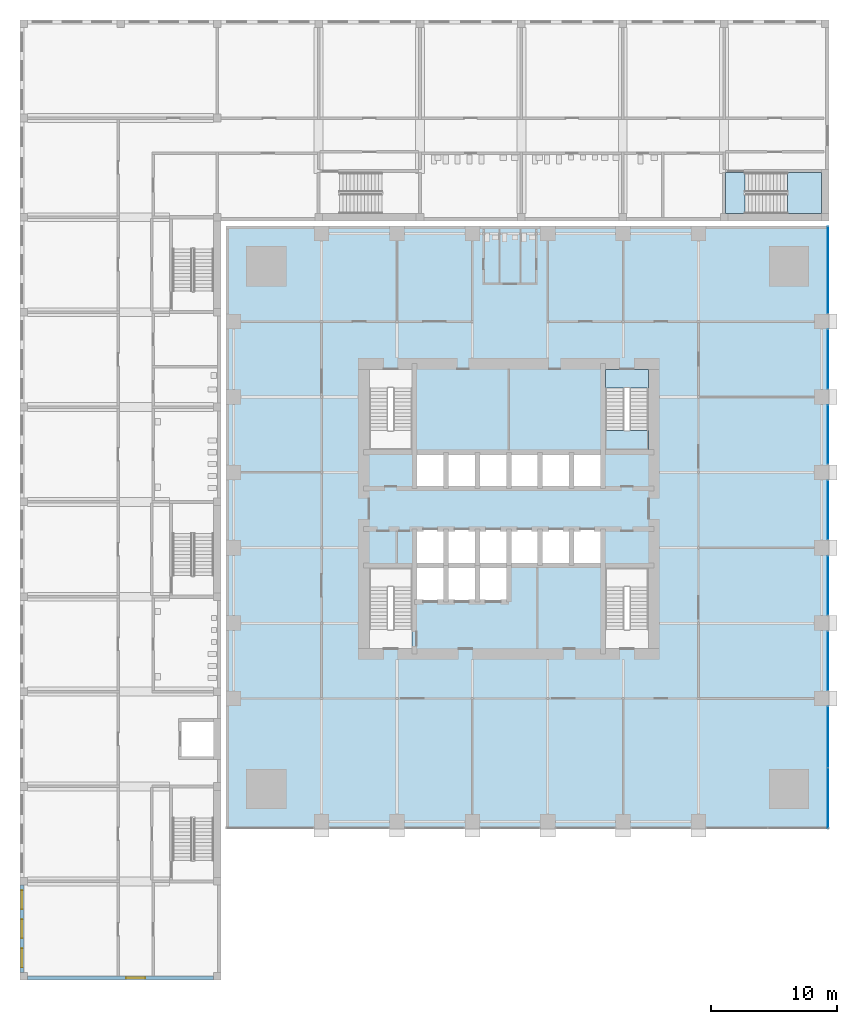
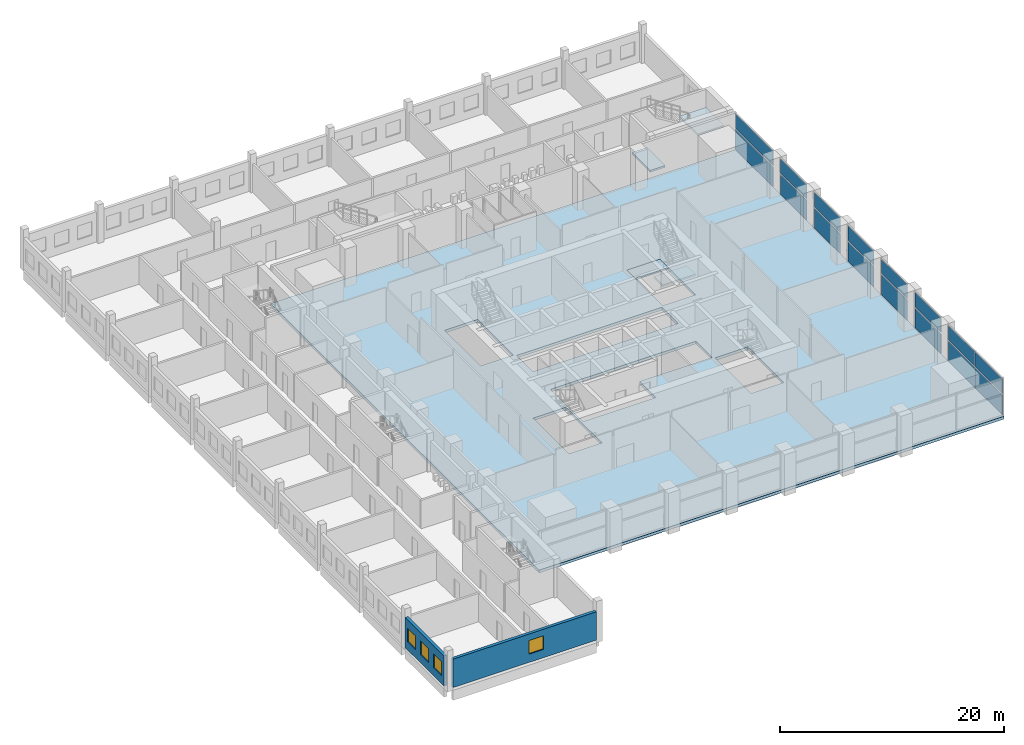
# One storey, part 9 of 25: 16 plates, 5 slabs, 4 windows, 2 walls, 4 openings, 9 elements without a shape of their own.
"""IFC4 building model written with IfcOpenShell, lengths in metres."""

from ifc_helpers import new_model, si_unit, direction, frame, frame_2d, origin, origin_2d, place, context, subcontext, project, spatial, polyline, rectangle, outline, extrude, material, layer, layer_set, type_object, element, fill, aggregate, save


model = new_model("IFC4")

# Units and contexts
model_context = context("Model", 3, precision=1e-05, world=origin(), true_north=direction((0.0, 1.0)))
body_context = subcontext(model_context, "Body", "Model", "MODEL_VIEW")
ifc_project = project(units=[si_unit("LENGTHUNIT", "METRE"), si_unit("AREAUNIT", "SQUARE_METRE"), si_unit("VOLUMEUNIT", "CUBIC_METRE"), si_unit("PLANEANGLEUNIT", "RADIAN"), si_unit("MASSUNIT", "GRAM", prefix="KILO")], contexts=[model_context])

# Site, building, storey
site_placement = place(None, origin())
site = spatial("IfcSite", under=ifc_project, at=site_placement, CompositionType="ELEMENT")
building_placement = place(site_placement, origin())
building = spatial("IfcBuilding", under=site, at=building_placement, Name="Amberfall Residences", CompositionType="ELEMENT")
storey_placement = place(building_placement, frame((0.0, 0.0, 10.0)))
storey = spatial("IfcBuildingStorey", under=building, at=storey_placement, Name="L02", CompositionType="ELEMENT", Elevation=10.0)

# Curtain wall, plates
ifc_material_1 = material(Name="Bronze anodised aluminium and glass", Category="aluminium")
curtain_wall_type = type_object("IfcCurtainWallType", Name="Curtain wall CW4 podium storefront", PredefinedType="USERDEFINED", material=ifc_material_1)
curtain_wall_1_placement = place(storey_placement, origin())
curtain_wall_1 = element("IfcCurtainWall", 1, at=curtain_wall_1_placement, inside=storey, type_object=curtain_wall_type, Name="Storefront L02 E1", ObjectType="UNITISED CURTAIN WALL", PredefinedType="USERDEFINED")
ifc_material_2 = material(Name="Clear toughened glazing", Category="glass")
ifc_layer_1 = layer(ifc_material_2, 0.028076171875)
ifc_layer_set_1 = layer_set([ifc_layer_1], Name="CW4 panel 28 glazing")
plate_type = type_object("IfcPlateType", Name="CW4 panel 28 glazing", PredefinedType="CURTAIN_PANEL", material=ifc_layer_set_1)
plate_1_placement = place(storey_placement, frame((99.89990234375, 22.467529296875, 0.14990234375), z_axis=(0.0, 0.0, 1.0), x_axis=(0.0, 1.0, 0.0)))
plate_1 = element("IfcPlate", 2, at=plate_1_placement, type_object=plate_type, Name="CW4 panel 1.1", PredefinedType="CURTAIN_PANEL", context=body_context, shape_type="SweptSolid", body=[
    extrude(rectangle(XDim=4.794921875, YDim=0.028076171875, at=origin_2d()), origin(), (0.0, 0.0, 1.0), 2.175048828125),
])
plate_2_placement = place(storey_placement, frame((99.89990234375, 22.467529296875, 2.47509765625), z_axis=(0.0, 0.0, 1.0), x_axis=(0.0, 1.0, 0.0)))
plate_2 = element("IfcPlate", 3, at=plate_2_placement, type_object=plate_type, Name="CW4 panel 1.2", PredefinedType="CURTAIN_PANEL", context=body_context, shape_type="SweptSolid", body=[
    extrude(rectangle(XDim=4.794921875, YDim=0.028076171875, at=origin_2d()), origin(), (0.0, 0.0, 1.0), 1.574951171875),
])
plate_3_placement = place(storey_placement, frame((99.89990234375, 27.33251953125, 0.14990234375), z_axis=(0.0, 0.0, 1.0), x_axis=(0.0, 1.0, 0.0)))
plate_3 = element("IfcPlate", 4, at=plate_3_placement, type_object=plate_type, Name="CW4 panel 2.1", PredefinedType="CURTAIN_PANEL", context=body_context, shape_type="SweptSolid", body=[
    extrude(rectangle(XDim=4.794921875, YDim=0.028076171875, at=origin_2d()), origin(), (0.0, 0.0, 1.0), 2.175048828125),
])
plate_4_placement = place(storey_placement, frame((99.89990234375, 27.33251953125, 2.47509765625), z_axis=(0.0, 0.0, 1.0), x_axis=(0.0, 1.0, 0.0)))
plate_4 = element("IfcPlate", 5, at=plate_4_placement, type_object=plate_type, Name="CW4 panel 2.2", PredefinedType="CURTAIN_PANEL", context=body_context, shape_type="SweptSolid", body=[
    extrude(rectangle(XDim=4.794921875, YDim=0.028076171875, at=origin_2d()), origin(), (0.0, 0.0, 1.0), 1.574951171875),
])
aggregate(curtain_wall_1, [plate_1, plate_2, plate_3, plate_4])

curtain_wall_2_placement = place(storey_placement, origin())
curtain_wall_2 = element("IfcCurtainWall", 6, at=curtain_wall_2_placement, inside=storey, type_object=curtain_wall_type, Name="Storefront L02 E2", ObjectType="UNITISED CURTAIN WALL", PredefinedType="USERDEFINED")
plate_5_placement = place(storey_placement, frame((99.89990234375, 33.39990234375, 0.14990234375), z_axis=(0.0, 0.0, 1.0), x_axis=(0.0, 1.0, 0.0)))
plate_5 = element("IfcPlate", 7, at=plate_5_placement, type_object=plate_type, Name="CW4 panel 1.1", PredefinedType="CURTAIN_PANEL", context=body_context, shape_type="SweptSolid", body=[
    extrude(rectangle(XDim=4.659912109375, YDim=0.028076171875, at=origin_2d()), origin(), (0.0, 0.0, 1.0), 2.175048828125),
])
plate_6_placement = place(storey_placement, frame((99.89990234375, 33.39990234375, 2.47509765625), z_axis=(0.0, 0.0, 1.0), x_axis=(0.0, 1.0, 0.0)))
plate_6 = element("IfcPlate", 8, at=plate_6_placement, type_object=plate_type, Name="CW4 panel 1.2", PredefinedType="CURTAIN_PANEL", context=body_context, shape_type="SweptSolid", body=[
    extrude(rectangle(XDim=4.659912109375, YDim=0.028076171875, at=origin_2d()), origin(), (0.0, 0.0, 1.0), 1.574951171875),
])
aggregate(curtain_wall_2, [plate_5, plate_6])

curtain_wall_3_placement = place(storey_placement, origin())
curtain_wall_3 = element("IfcCurtainWall", 9, at=curtain_wall_3_placement, inside=storey, type_object=curtain_wall_type, Name="Storefront L02 E3", ObjectType="UNITISED CURTAIN WALL", PredefinedType="USERDEFINED")
plate_7_placement = place(storey_placement, frame((99.89990234375, 39.39990234375, 0.14990234375), z_axis=(0.0, 0.0, 1.0), x_axis=(0.0, 1.0, 0.0)))
plate_7 = element("IfcPlate", 10, at=plate_7_placement, type_object=plate_type, Name="CW4 panel 1.1", PredefinedType="CURTAIN_PANEL", context=body_context, shape_type="SweptSolid", body=[
    extrude(rectangle(XDim=4.659912109375, YDim=0.028076171875, at=origin_2d()), origin(), (0.0, 0.0, 1.0), 2.175048828125),
])
plate_8_placement = place(storey_placement, frame((99.89990234375, 39.39990234375, 2.47509765625), z_axis=(0.0, 0.0, 1.0), x_axis=(0.0, 1.0, 0.0)))
plate_8 = element("IfcPlate", 11, at=plate_8_placement, type_object=plate_type, Name="CW4 panel 1.2", PredefinedType="CURTAIN_PANEL", context=body_context, shape_type="SweptSolid", body=[
    extrude(rectangle(XDim=4.659912109375, YDim=0.028076171875, at=origin_2d()), origin(), (0.0, 0.0, 1.0), 1.574951171875),
])
aggregate(curtain_wall_3, [plate_7, plate_8])

curtain_wall_4_placement = place(storey_placement, origin())
curtain_wall_4 = element("IfcCurtainWall", 12, at=curtain_wall_4_placement, inside=storey, type_object=curtain_wall_type, Name="Storefront L02 E4", ObjectType="UNITISED CURTAIN WALL", PredefinedType="USERDEFINED")
plate_9_placement = place(storey_placement, frame((99.89990234375, 45.39990234375, 0.14990234375), z_axis=(0.0, 0.0, 1.0), x_axis=(0.0, 1.0, 0.0)))
plate_9 = element("IfcPlate", 13, at=plate_9_placement, type_object=plate_type, Name="CW4 panel 1.1", PredefinedType="CURTAIN_PANEL", context=body_context, shape_type="SweptSolid", body=[
    extrude(rectangle(XDim=4.659912109375, YDim=0.028076171875, at=origin_2d()), origin(), (0.0, 0.0, 1.0), 2.175048828125),
])
plate_10_placement = place(storey_placement, frame((99.89990234375, 45.39990234375, 2.47509765625), z_axis=(0.0, 0.0, 1.0), x_axis=(0.0, 1.0, 0.0)))
plate_10 = element("IfcPlate", 14, at=plate_10_placement, type_object=plate_type, Name="CW4 panel 1.2", PredefinedType="CURTAIN_PANEL", context=body_context, shape_type="SweptSolid", body=[
    extrude(rectangle(XDim=4.659912109375, YDim=0.028076171875, at=origin_2d()), origin(), (0.0, 0.0, 1.0), 1.574951171875),
])
aggregate(curtain_wall_4, [plate_9, plate_10])

curtain_wall_5_placement = place(storey_placement, origin())
curtain_wall_5 = element("IfcCurtainWall", 15, at=curtain_wall_5_placement, inside=storey, type_object=curtain_wall_type, Name="Storefront L02 E5", ObjectType="UNITISED CURTAIN WALL", PredefinedType="USERDEFINED")
plate_11_placement = place(storey_placement, frame((99.89990234375, 51.39990234375, 0.14990234375), z_axis=(0.0, 0.0, 1.0), x_axis=(0.0, 1.0, 0.0)))
plate_11 = element("IfcPlate", 16, at=plate_11_placement, type_object=plate_type, Name="CW4 panel 1.1", PredefinedType="CURTAIN_PANEL", context=body_context, shape_type="SweptSolid", body=[
    extrude(rectangle(XDim=4.659912109375, YDim=0.028076171875, at=origin_2d()), origin(), (0.0, 0.0, 1.0), 2.175048828125),
])
plate_12_placement = place(storey_placement, frame((99.89990234375, 51.39990234375, 2.47509765625), z_axis=(0.0, 0.0, 1.0), x_axis=(0.0, 1.0, 0.0)))
plate_12 = element("IfcPlate", 17, at=plate_12_placement, type_object=plate_type, Name="CW4 panel 1.2", PredefinedType="CURTAIN_PANEL", context=body_context, shape_type="SweptSolid", body=[
    extrude(rectangle(XDim=4.659912109375, YDim=0.028076171875, at=origin_2d()), origin(), (0.0, 0.0, 1.0), 1.574951171875),
])
aggregate(curtain_wall_5, [plate_11, plate_12])

curtain_wall_6_placement = place(storey_placement, origin())
curtain_wall_6 = element("IfcCurtainWall", 18, at=curtain_wall_6_placement, inside=storey, type_object=curtain_wall_type, Name="Storefront L02 E6", ObjectType="UNITISED CURTAIN WALL", PredefinedType="USERDEFINED")
plate_13_placement = place(storey_placement, frame((99.89990234375, 57.39990234375, 0.14990234375), z_axis=(0.0, 0.0, 1.0), x_axis=(0.0, 1.0, 0.0)))
plate_13 = element("IfcPlate", 19, at=plate_13_placement, type_object=plate_type, Name="CW4 panel 1.1", PredefinedType="CURTAIN_PANEL", context=body_context, shape_type="SweptSolid", body=[
    extrude(rectangle(XDim=4.659912109375, YDim=0.028076171875, at=origin_2d()), origin(), (0.0, 0.0, 1.0), 2.175048828125),
])
plate_14_placement = place(storey_placement, frame((99.89990234375, 57.39990234375, 2.47509765625), z_axis=(0.0, 0.0, 1.0), x_axis=(0.0, 1.0, 0.0)))
plate_14 = element("IfcPlate", 20, at=plate_14_placement, type_object=plate_type, Name="CW4 panel 1.2", PredefinedType="CURTAIN_PANEL", context=body_context, shape_type="SweptSolid", body=[
    extrude(rectangle(XDim=4.659912109375, YDim=0.028076171875, at=origin_2d()), origin(), (0.0, 0.0, 1.0), 1.574951171875),
])
aggregate(curtain_wall_6, [plate_13, plate_14])

curtain_wall_7_placement = place(storey_placement, origin())
curtain_wall_7 = element("IfcCurtainWall", 21, at=curtain_wall_7_placement, inside=storey, type_object=curtain_wall_type, Name="Storefront L02 E7", ObjectType="UNITISED CURTAIN WALL", PredefinedType="USERDEFINED")
plate_15_placement = place(storey_placement, frame((99.89990234375, 64.5, 0.14990234375), z_axis=(0.0, 0.0, 1.0), x_axis=(0.0, 1.0, 0.0)))
plate_15 = element("IfcPlate", 22, at=plate_15_placement, type_object=plate_type, Name="CW4 panel 1.1", PredefinedType="CURTAIN_PANEL", context=body_context, shape_type="SweptSolid", body=[
    extrude(rectangle(XDim=6.860107421875, YDim=0.028076171875, at=origin_2d()), origin(), (0.0, 0.0, 1.0), 2.175048828125),
])
plate_16_placement = place(storey_placement, frame((99.89990234375, 64.5, 2.47509765625), z_axis=(0.0, 0.0, 1.0), x_axis=(0.0, 1.0, 0.0)))
plate_16 = element("IfcPlate", 23, at=plate_16_placement, type_object=plate_type, Name="CW4 panel 1.2", PredefinedType="CURTAIN_PANEL", context=body_context, shape_type="SweptSolid", body=[
    extrude(rectangle(XDim=6.860107421875, YDim=0.028076171875, at=origin_2d()), origin(), (0.0, 0.0, 1.0), 1.574951171875),
])
aggregate(curtain_wall_7, [plate_15, plate_16])

# Slab
ifc_material_3 = material(Name="Concrete C60", Category="concrete")
ifc_layer_2 = layer(ifc_material_3, 0.300048828125)
ifc_layer_set_2 = layer_set([ifc_layer_2], Name="Podium floor slab 300 C60")
slab_type_1 = type_object("IfcSlabType", Name="Podium floor slab 300 C60", PredefinedType="FLOOR", material=ifc_layer_set_2)
slab_1_placement = place(storey_placement, frame((0.0, 0.0, -0.300048828125)))
element("IfcSlab", 24, at=slab_1_placement, inside=storey, type_object=slab_type_1, Name="Floor slab S2 L02", PredefinedType="FLOOR", context=body_context, shape_type="SweptSolid", body=[
    extrude(outline(polyline([(52.0, 68.0), (100.0, 68.0), (100.0, 20.0), (52.0, 20.0), (52.0, 68.0)]), holes=[polyline([(85.60009765625, 34.39990234375), (85.60009765625, 40.800048828125), (82.199951171875, 40.800048828125), (82.199951171875, 34.39990234375), (85.60009765625, 34.39990234375)]), polyline([(82.199951171875, 50.199951171875), (85.60009765625, 50.199951171875), (85.60009765625, 56.60009765625), (82.199951171875, 56.60009765625), (82.199951171875, 50.199951171875)]), polyline([(69.5, 50.0), (67.0, 50.0), (67.0, 47.10009765625), (69.5, 47.10009765625), (72.0, 47.10009765625), (74.5, 47.10009765625), (77.0, 47.10009765625), (79.5, 47.10009765625), (82.0, 47.10009765625), (82.0, 50.0), (79.5, 50.0), (77.0, 50.0), (74.5, 50.0), (72.0, 50.0), (69.5, 50.0)]), polyline([(74.5, 41.0), (77.0, 41.0), (79.5, 41.0), (82.0, 41.0), (82.0, 43.89990234375), (79.5, 43.89990234375), (77.0, 43.89990234375), (74.5, 43.89990234375), (72.0, 43.89990234375), (69.5, 43.89990234375), (67.0, 43.89990234375), (67.0, 41.0), (67.0, 38.10009765625), (69.5, 38.10009765625), (72.0, 38.10009765625), (74.5, 38.10009765625), (74.5, 41.0)]), polyline([(66.800048828125, 34.39990234375), (66.800048828125, 40.800048828125), (63.39990234375, 40.800048828125), (63.39990234375, 34.39990234375), (66.800048828125, 34.39990234375)]), polyline([(66.800048828125, 50.199951171875), (66.800048828125, 56.60009765625), (63.39990234375, 56.60009765625), (63.39990234375, 50.199951171875), (66.800048828125, 50.199951171875)])]), origin(), (0.0, 0.0, 1.0), 0.300048828125),
])

# Stair, slabs
ifc_material_4 = material(Name="Concrete C40", Category="concrete")
stair_type_1 = type_object("IfcStairType", Name="School stair", PredefinedType="HALF_TURN_STAIR", material=ifc_material_4)
stair_1_placement = place(storey_placement, origin())
stair_1 = element("IfcStair", 25, at=stair_1_placement, inside=storey, type_object=stair_type_1, Name="L02 Stair SS5", PredefinedType="HALF_TURN_STAIR")
ifc_layer_3 = layer(ifc_material_4, 0.199951171875)
ifc_layer_set_3 = layer_set([ifc_layer_3], Name="School stair landing")
slab_type_2 = type_object("IfcSlabType", Name="School stair landing", PredefinedType="LANDING", material=ifc_layer_set_3)
slab_2_placement = place(storey_placement, frame((0.0, 0.0, 2.050048828125)))
slab_2 = element("IfcSlab", 26, at=slab_2_placement, type_object=slab_type_2, Name="SS5 landing 1", PredefinedType="LANDING", context=body_context, shape_type="SweptSolid", body=[
    extrude(outline(polyline([(96.66796875, 69.0), (99.39990234375, 69.0), (99.39990234375, 72.25), (96.66796875, 72.25), (96.66796875, 69.0)])), origin(), (0.0, 0.0, 1.0), 0.199951171875),
])
slab_3_placement = place(storey_placement, frame((0.0, 0.0, -0.199951171875)))
slab_3 = element("IfcSlab", 27, at=slab_3_placement, type_object=slab_type_2, Name="SS5 landing 2", PredefinedType="LANDING", context=body_context, shape_type="SweptSolid", body=[
    extrude(outline(polyline([(91.758056640625, 69.0), (93.30810546875, 69.0), (93.30810546875, 72.25), (91.758056640625, 72.25), (91.758056640625, 69.0)])), origin(), (0.0, 0.0, 1.0), 0.199951171875),
])
aggregate(stair_1, [slab_2, slab_3])

stair_type_2 = type_object("IfcStairType", Name="Exit stair 26 risers 173.1 mm", PredefinedType="HALF_TURN_STAIR", material=ifc_material_4)
stair_2_placement = place(storey_placement, origin())
stair_2 = element("IfcStair", 28, at=stair_2_placement, inside=storey, type_object=stair_type_2, Name="L02 Exit stair 3", PredefinedType="HALF_TURN_STAIR")
ifc_layer_4 = layer(ifc_material_4, 0.199951171875)
ifc_layer_set_4 = layer_set([ifc_layer_4], Name="Stair landing 200")
slab_type_3 = type_object("IfcSlabType", Name="Stair landing 200", PredefinedType="LANDING", material=ifc_layer_set_4)
slab_4_placement = place(storey_placement, frame((0.0, 0.0, 2.050048828125)))
slab_4 = element("IfcSlab", 29, at=slab_4_placement, type_object=slab_type_3, Name="ST2 landing 1", PredefinedType="LANDING", context=body_context, shape_type="SweptSolid", body=[
    extrude(outline(polyline([(82.199951171875, 51.739990234375), (82.199951171875, 50.199951171875), (85.60009765625, 50.199951171875), (85.60009765625, 51.739990234375), (82.199951171875, 51.739990234375)])), origin(), (0.0, 0.0, 1.0), 0.199951171875),
])
slab_5_placement = place(storey_placement, frame((0.0, 0.0, -0.199951171875)))
slab_5 = element("IfcSlab", 30, at=slab_5_placement, type_object=slab_type_3, Name="ST2 landing 2", PredefinedType="LANDING", context=body_context, shape_type="SweptSolid", body=[
    extrude(outline(polyline([(82.199951171875, 56.60009765625), (82.199951171875, 55.10009765625), (85.60009765625, 55.10009765625), (85.60009765625, 56.60009765625), (82.199951171875, 56.60009765625)])), origin(), (0.0, 0.0, 1.0), 0.199951171875),
])
aggregate(stair_2, [slab_4, slab_5])

# Wall, openings, windows
ifc_material_5 = material(Name="Aerated block wall")
ifc_layer_5 = layer(ifc_material_5, 0.300048828125)
ifc_layer_set_5 = layer_set([ifc_layer_5], Name="School external wall 300")
wall_type = type_object("IfcWallType", Name="School external wall 300", PredefinedType="SOLIDWALL", material=ifc_layer_set_5)
wall_1_placement = place(storey_placement, frame((35.75, 8.60009765625, 0.0), z_axis=(0.0, 0.0, 1.0), x_axis=(0.0, 1.0, 0.0)))
wall_1 = element("IfcWall", 31, at=wall_1_placement, inside=storey, type_object=wall_type, Name="School external wall L02 EW0", PredefinedType="SOLIDWALL", context=body_context, shape_type="SweptSolid", body=[
    extrude(rectangle(XDim=6.949951171875, YDim=0.300048828125, at=frame_2d((3.47509765625, 0.0))), origin(), (0.0, 0.0, 1.0), 3.300048828125),
])
opening_1_placement = place(wall_1_placement, frame((0.408203125, 0.0, 0.89990234375)))
opening_1 = element("IfcOpeningElement", 32, at=opening_1_placement, cuts=wall_1, Name="Opening SWN1", PredefinedType="OPENING", context=body_context, shape_type="SweptSolid", body=[
    extrude(rectangle(XDim=1.5, YDim=1.5, at=frame_2d((0.75, 0.75))), frame((0.0, 0.159912109375, 0.0), z_axis=(0.0, -1.0, 0.0), x_axis=(1.0, 0.0, 0.0)), (0.0, 0.0, 1.0), 0.320068359375),
])
opening_2_placement = place(wall_1_placement, frame((2.72509765625, 0.0, 0.89990234375)))
opening_2 = element("IfcOpeningElement", 33, at=opening_2_placement, cuts=wall_1, Name="Opening SWN1", PredefinedType="OPENING", context=body_context, shape_type="SweptSolid", body=[
    extrude(rectangle(XDim=1.5, YDim=1.5, at=frame_2d((0.75, 0.75))), frame((0.0, 0.159912109375, 0.0), z_axis=(0.0, -1.0, 0.0), x_axis=(1.0, 0.0, 0.0)), (0.0, 0.0, 1.0), 0.320068359375),
])
opening_3_placement = place(wall_1_placement, frame((5.041748046875, 0.0, 0.89990234375)))
opening_3 = element("IfcOpeningElement", 34, at=opening_3_placement, cuts=wall_1, Name="Opening SWN1", PredefinedType="OPENING", context=body_context, shape_type="SweptSolid", body=[
    extrude(rectangle(XDim=1.5, YDim=1.5, at=frame_2d((0.75, 0.75))), frame((0.0, 0.159912109375, 0.0), z_axis=(0.0, -1.0, 0.0), x_axis=(1.0, 0.0, 0.0)), (0.0, 0.0, 1.0), 0.320068359375),
])
ifc_material_6 = material(Name="Aluminium window", Category="aluminium")
window_type = type_object("IfcWindowType", Name="School window 1500 x 1500", PartitioningType="DOUBLE_PANEL_HORIZONTAL", PredefinedType="WINDOW", material=ifc_material_6)
window_1_placement = place(opening_1_placement, origin())
window_1 = element("IfcWindow", 35, at=window_1_placement, inside=storey, type_object=window_type, Name="School window L02 EW0-1", OverallHeight=1.5, OverallWidth=1.5, PartitioningType="DOUBLE_PANEL_HORIZONTAL", PredefinedType="WINDOW", context=body_context, shape_type="SweptSolid", body=[
    extrude(rectangle(XDim=1.5, YDim=1.5, at=frame_2d((0.75, 0.75))), frame((0.0, 0.030029296875, 0.0), z_axis=(0.0, -1.0, 0.0), x_axis=(1.0, 0.0, 0.0)), (0.0, 0.0, 1.0), 0.06005859375),
])
fill(opening_1, window_1)
window_2_placement = place(opening_2_placement, origin())
window_2 = element("IfcWindow", 36, at=window_2_placement, inside=storey, type_object=window_type, Name="School window L02 EW0-2", OverallHeight=1.5, OverallWidth=1.5, PartitioningType="DOUBLE_PANEL_HORIZONTAL", PredefinedType="WINDOW", context=body_context, shape_type="SweptSolid", body=[
    extrude(rectangle(XDim=1.5, YDim=1.5, at=frame_2d((0.75, 0.75))), frame((0.0, 0.030029296875, 0.0), z_axis=(0.0, -1.0, 0.0), x_axis=(1.0, 0.0, 0.0)), (0.0, 0.0, 1.0), 0.06005859375),
])
fill(opening_2, window_2)
window_3_placement = place(opening_3_placement, origin())
window_3 = element("IfcWindow", 37, at=window_3_placement, inside=storey, type_object=window_type, Name="School window L02 EW0-3", OverallHeight=1.5, OverallWidth=1.5, PartitioningType="DOUBLE_PANEL_HORIZONTAL", PredefinedType="WINDOW", context=body_context, shape_type="SweptSolid", body=[
    extrude(rectangle(XDim=1.5, YDim=1.5, at=frame_2d((0.75, 0.75))), frame((0.0, 0.030029296875, 0.0), z_axis=(0.0, -1.0, 0.0), x_axis=(1.0, 0.0, 0.0)), (0.0, 0.0, 1.0), 0.06005859375),
])
fill(opening_3, window_3)

# Wall, opening, window
wall_2_placement = place(storey_placement, frame((36.199951171875, 8.14990234375, 0.0), z_axis=(0.0, 0.0, 1.0), x_axis=(1.0, 0.0, 0.0)))
wall_2 = element("IfcWall", 38, at=wall_2_placement, inside=storey, type_object=wall_type, Name="School external wall L02 ES", PredefinedType="SOLIDWALL", context=body_context, shape_type="SweptSolid", body=[
    extrude(rectangle(XDim=14.800048828125, YDim=0.300048828125, at=frame_2d((7.39990234375, 0.0))), origin(), (0.0, 0.0, 1.0), 3.10009765625),
])
opening_4_placement = place(wall_2_placement, frame((7.85009765625, 0.0, 0.89990234375)))
opening_4 = element("IfcOpeningElement", 39, at=opening_4_placement, cuts=wall_2, Name="Opening SWN1", PredefinedType="OPENING", context=body_context, shape_type="SweptSolid", body=[
    extrude(rectangle(XDim=1.5, YDim=1.5, at=frame_2d((0.75, 0.75))), frame((0.0, 0.159912109375, 0.0), z_axis=(0.0, -1.0, 0.0), x_axis=(1.0, 0.0, 0.0)), (0.0, 0.0, 1.0), 0.320068359375),
])
window_4_placement = place(opening_4_placement, origin())
window_4 = element("IfcWindow", 40, at=window_4_placement, inside=storey, type_object=window_type, Name="School window L02 ES-1", OverallHeight=1.5, OverallWidth=1.5, PartitioningType="DOUBLE_PANEL_HORIZONTAL", PredefinedType="WINDOW", context=body_context, shape_type="SweptSolid", body=[
    extrude(rectangle(XDim=1.5, YDim=1.5, at=frame_2d((0.75, 0.75))), frame((0.0, 0.030029296875, 0.0), z_axis=(0.0, -1.0, 0.0), x_axis=(1.0, 0.0, 0.0)), (0.0, 0.0, 1.0), 0.06005859375),
])
fill(opening_4, window_4)

save(model, "model.ifc")
